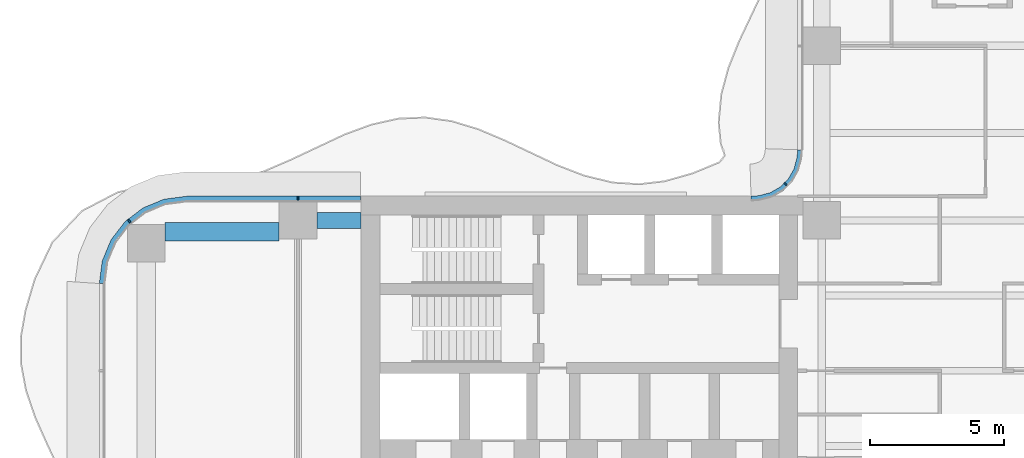
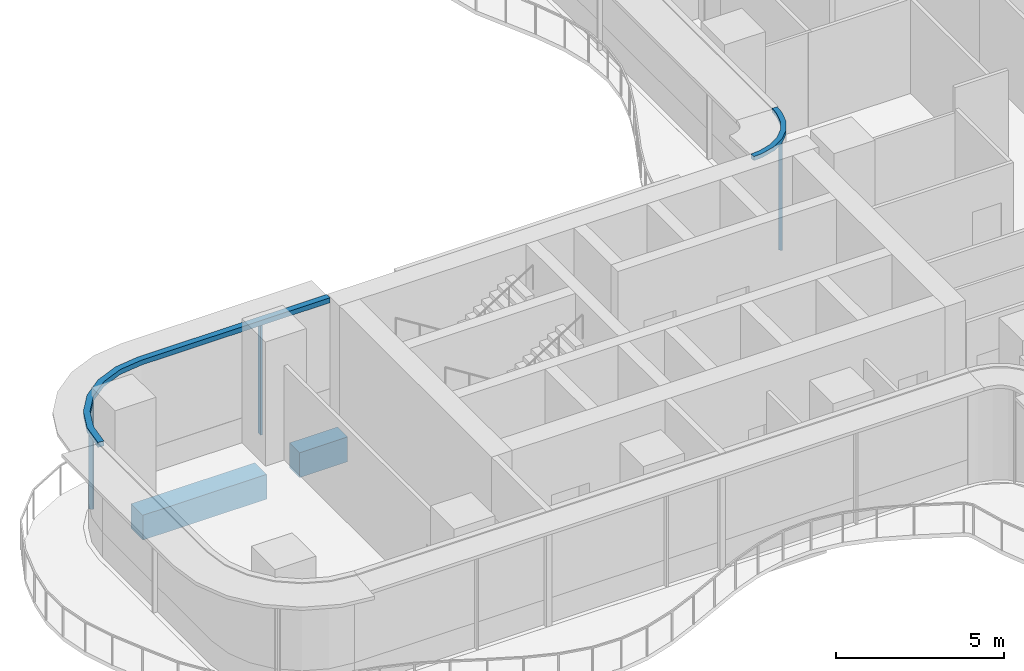
# One storey, part 8 of 22: 5 members, 2 beams, 2 elements without a shape of their own.
"""IFC4 building model written with IfcOpenShell, lengths in metres."""

from ifc_helpers import new_model, si_unit, direction, frame, origin, origin_2d, place, context, subcontext, project, spatial, polyline, rectangle, outline, extrude, source, transform, mapped, material, layer, layer_set, material_profile, profile_set, type_object, element, aggregate, save


model = new_model("IFC4")

# Units and contexts
model_context = context("Model", 3, precision=1e-05, world=origin(), true_north=direction((0.0, 1.0)))
body_context = subcontext(model_context, "Body", "Model", "MODEL_VIEW")
ifc_project = project(units=[si_unit("LENGTHUNIT", "METRE"), si_unit("AREAUNIT", "SQUARE_METRE"), si_unit("VOLUMEUNIT", "CUBIC_METRE"), si_unit("PLANEANGLEUNIT", "RADIAN"), si_unit("MASSUNIT", "GRAM", prefix="KILO")], contexts=[model_context])

# Site, building, storey
site_placement = place(None, origin())
site = spatial("IfcSite", under=ifc_project, at=site_placement, CompositionType="ELEMENT")
building_placement = place(site_placement, origin())
building = spatial("IfcBuilding", under=site, at=building_placement, Name="Trellis Farm Tower", CompositionType="ELEMENT")
storey_placement = place(building_placement, frame((0.0, 0.0, 88.0)))
storey = spatial("IfcBuildingStorey", under=building, at=storey_placement, Name="L18", CompositionType="ELEMENT", Elevation=88.0)

# Beams
ifc_material_1 = material(Name="Concrete C60/75", Category="concrete")
ifc_material_profile_1 = material_profile(ifc_material_1, rectangle(XDim=0.699951171875, YDim=0.89990234375, at=origin_2d()), Name="RC spandrel beam 700x900 C60/75")
ifc_profile_set_1 = profile_set([ifc_material_profile_1], Name="Concrete C60/75")
beam_type_1 = type_object("IfcBeamType", Name="RC spandrel beam 700x900 C60/75", PredefinedType="SPANDREL", material=ifc_profile_set_1)
shared_shape_1 = source(origin(), body_context, "Body", "SweptSolid", [
    extrude(rectangle(XDim=0.699951171875, YDim=0.89990234375, at=origin_2d()), origin(), (0.0, 0.0, 1.0), 4.25),
])
beam_1_placement = place(storey_placement, frame((-30.050048828125, 5.175048828125, -0.699951171875), z_axis=(1.0, 0.0, 0.0), x_axis=(0.0, 1.0, 0.0)))
element("IfcBeam", 1, at=beam_1_placement, inside=storey, type_object=beam_type_1, Name="Girder", PredefinedType="SPANDREL", context=body_context, shape_type="MappedRepresentation", body=[
    mapped(shared_shape_1, transform((0.0, 0.0, 0.0))),
])
ifc_material_profile_2 = material_profile(ifc_material_1, rectangle(XDim=0.60009765625, YDim=0.89990234375, at=origin_2d()), Name="RC spandrel beam 600x900 C60/75")
ifc_profile_set_2 = profile_set([ifc_material_profile_2], Name="Concrete C60/75")
beam_type_2 = type_object("IfcBeamType", Name="RC spandrel beam 600x900 C60/75", PredefinedType="SPANDREL", material=ifc_profile_set_2)
shared_shape_2 = source(origin(), body_context, "Body", "SweptSolid", [
    extrude(rectangle(XDim=0.60009765625, YDim=0.89990234375, at=origin_2d()), origin(), (0.0, 0.0, 1.0), 1.64990234375),
])
beam_2_placement = place(storey_placement, frame((-24.39990234375, 5.60009765625, -0.699951171875), z_axis=(1.0, 0.0, 0.0), x_axis=(0.0, 1.0, 0.0)))
element("IfcBeam", 2, at=beam_2_placement, inside=storey, type_object=beam_type_2, Name="Girder", PredefinedType="SPANDREL", context=body_context, shape_type="MappedRepresentation", body=[
    mapped(shared_shape_2, transform((0.0, 0.0, 0.0))),
])

# Curtain wall, member
ifc_material_2 = material(Name="Aluminium and glass curtain wall", Category="aluminium")
ifc_layer_1 = layer(ifc_material_2, 0.166015625)
ifc_layer_set_1 = layer_set([ifc_layer_1], Name="WINTER GARDEN CURTAIN WALL CW3")
curtain_wall_type_1 = type_object("IfcCurtainWallType", Name="WINTER GARDEN CURTAIN WALL CW3", PredefinedType="NOTDEFINED", material=ifc_layer_set_1)
placement = place(storey_placement, origin())
curtain_wall_1 = element("IfcCurtainWall", 3, at=placement, inside=storey, type_object=curtain_wall_type_1, Name="CW3 004", PredefinedType="NOTDEFINED")
ifc_material_3 = material(Name="Aluminium extrusion 6063-T6", Category="aluminium")
ifc_layer_2 = layer(ifc_material_3, 0.169921875)
ifc_layer_set_2 = layer_set([ifc_layer_2], Name="Aluminium extrusion 6063-T6")
member_type_1 = type_object("IfcMemberType", Name="CW3 TRANSOM 170x150", PredefinedType="USERDEFINED", material=ifc_layer_set_2)
shared_shape_3 = source(origin(), body_context, "Body", "SweptSolid", [
    extrude(outline(polyline([(-6.5, 8.2314453125), (-6.513916015625, 8.01953125), (-6.527587890625, 7.91552734375), (-6.63671875, 7.508544921875), (-6.846923828125, 7.144287109375), (-7.144287109375, 6.846923828125), (-7.508544921875, 6.63671875), (-7.91552734375, 6.527587890625), (-8.01953125, 6.513916015625), (-8.2314453125, 6.5), (-8.225830078125, 6.330078125), (-8.0029296875, 6.3447265625), (-7.88232421875, 6.360595703125), (-7.44287109375, 6.478271484375), (-7.0400390625, 6.7109375), (-6.7109375, 7.0400390625), (-6.478271484375, 7.44287109375), (-6.360595703125, 7.88232421875), (-6.3447265625, 8.0029296875), (-6.330078125, 8.225830078125), (-6.5, 8.2314453125)])), origin(), (0.0, 0.0, 1.0), 0.14990234375),
])
member_1_placement = place(storey_placement, frame((0.0, 0.0, 4.050048828125)))
member_1 = element("IfcMember", 4, at=member_1_placement, type_object=member_type_1, Name="TR3 004", ObjectType="TRANSOM", PredefinedType="USERDEFINED", context=body_context, shape_type="MappedRepresentation", body=[
    mapped(shared_shape_3, transform((0.0, 0.0, 0.0))),
])

# Curtain wall, members
ifc_layer_3 = layer(ifc_material_2, 0.18994140625)
ifc_layer_set_3 = layer_set([ifc_layer_3], Name="RIBBON CURTAIN WALL CW1")
curtain_wall_type_2 = type_object("IfcCurtainWallType", Name="RIBBON CURTAIN WALL CW1", PredefinedType="NOTDEFINED", material=ifc_layer_set_3)
curtain_wall_2 = element("IfcCurtainWall", 5, at=placement, inside=storey, type_object=curtain_wall_type_2, Name="CW1 012", PredefinedType="NOTDEFINED")
ifc_layer_4 = layer(ifc_material_3, 0.199951171875)
ifc_layer_set_4 = layer_set([ifc_layer_4], Name="Aluminium extrusion 6063-T6")
member_type_2 = type_object("IfcMemberType", Name="CW1 TRANSOM 200x180", PredefinedType="USERDEFINED", material=ifc_layer_set_4)
shared_shape_4 = source(origin(), body_context, "Body", "SweptSolid", [
    extrude(outline(polyline([(-22.780029296875, 6.5), (-29.25, 6.5), (-30.091064453125, 6.38916015625), (-30.875, 6.064697265625), (-31.548095703125, 5.548095703125), (-32.064697265625, 4.875), (-32.38916015625, 4.091064453125), (-32.5, 3.25), (-32.300048828125, 3.23681640625), (-32.1943359375, 4.0390625), (-31.889892578125, 4.774169921875), (-31.405517578125, 5.405517578125), (-30.774169921875, 5.889892578125), (-30.0390625, 6.1943359375), (-29.23681640625, 6.300048828125), (-22.780029296875, 6.300048828125), (-22.780029296875, 6.5)])), origin(), (0.0, 0.0, 1.0), 0.179931640625),
])
member_2_placement = place(storey_placement, frame((0.0, 0.0, 4.02001953125)))
member_2 = element("IfcMember", 6, at=member_2_placement, type_object=member_type_2, Name="TR1 012", ObjectType="TRANSOM", PredefinedType="USERDEFINED", context=body_context, shape_type="MappedRepresentation", body=[
    mapped(shared_shape_4, transform((0.0, 0.0, 0.0))),
])
ifc_material_profile_3 = material_profile(ifc_material_3, rectangle(XDim=0.06005859375, YDim=0.14990234375, at=origin_2d()), Name="MULLION 60x150")
ifc_profile_set_3 = profile_set([ifc_material_profile_3], Name="Aluminium extrusion 6063-T6")
member_type_3 = type_object("IfcMemberType", Name="CW1 MULLION 60x150", PredefinedType="MULLION", material=ifc_profile_set_3)
shared_shape_5 = source(origin(), body_context, "Body", "SweptSolid", [
    extrude(rectangle(XDim=0.06005859375, YDim=0.14990234375, at=origin_2d()), origin(), (0.0, 0.0, 1.0), 4.02001953125),
])
member_3_placement = place(storey_placement, frame((-25.10009765625, 6.425048828125, 0.0), z_axis=(0.0, 0.0, 1.0), x_axis=(-1.0, 0.0, 0.0)))
member_3 = element("IfcMember", 7, at=member_3_placement, type_object=member_type_3, Name="MU1 012-01", PredefinedType="MULLION", context=body_context, shape_type="MappedRepresentation", body=[
    mapped(shared_shape_5, transform((0.0, 0.0, 0.0))),
])
member_4_placement = place(storey_placement, frame((-31.385498046875, 5.578369140625, 0.0), z_axis=(0.0, 0.0, 1.0), x_axis=(-0.793353340291, -0.608761429009, 0.0)))
member_4 = element("IfcMember", 8, at=member_4_placement, type_object=member_type_3, Name="MU1 012-02", PredefinedType="MULLION", context=body_context, shape_type="MappedRepresentation", body=[
    mapped(shared_shape_5, transform((0.0, 0.0, 0.0))),
])
aggregate(curtain_wall_2, [member_3, member_4, member_2])

# Member
ifc_material_profile_4 = material_profile(ifc_material_3, rectangle(XDim=0.050048828125, YDim=0.1201171875, at=origin_2d()), Name="MULLION 50x120")
ifc_profile_set_4 = profile_set([ifc_material_profile_4], Name="Aluminium extrusion 6063-T6")
member_type_4 = type_object("IfcMemberType", Name="CW3 MULLION 50x120", PredefinedType="MULLION", material=ifc_profile_set_4)
shared_shape_6 = source(origin(), body_context, "Body", "SweptSolid", [
    extrude(rectangle(XDim=0.050048828125, YDim=0.1201171875, at=origin_2d()), origin(), (0.0, 0.0, 1.0), 4.050048828125),
])
member_5_placement = place(storey_placement, frame((-6.953125, 6.953125, 0.0), z_axis=(0.0, 0.0, 1.0), x_axis=(-0.707106781187, -0.707106781187, 0.0)))
member_5 = element("IfcMember", 9, at=member_5_placement, type_object=member_type_4, Name="MU3 004-01", PredefinedType="MULLION", context=body_context, shape_type="MappedRepresentation", body=[
    mapped(shared_shape_6, transform((0.0, 0.0, 0.0))),
])

aggregate(curtain_wall_1, [member_5, member_1])

save(model, "model.ifc")
